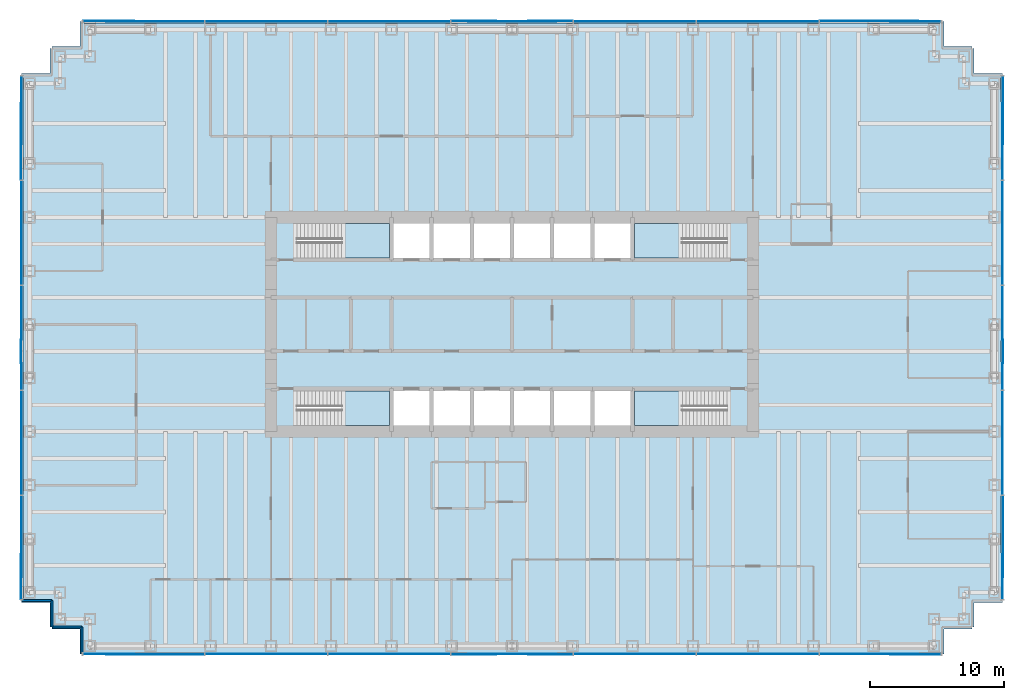
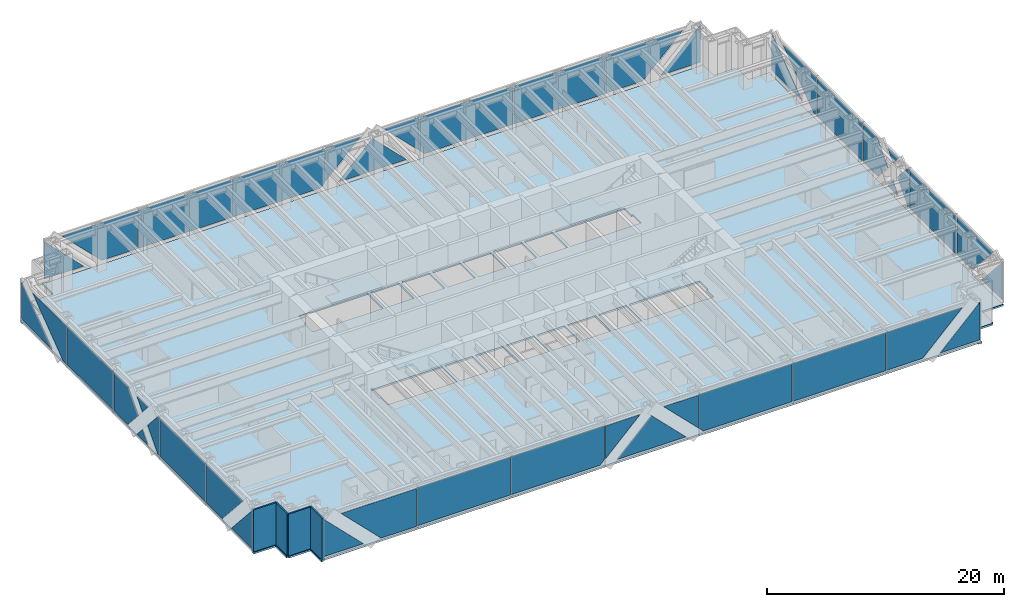
# One storey, part 8 of 13: 42 plates, 5 slabs, 4 walls, 8 elements without a shape of their own.
"""IFC4 building model written with IfcOpenShell, lengths in metres."""

from ifc_helpers import new_model, si_unit, direction, frame, frame_2d, origin, origin_2d, place, context, subcontext, project, spatial, polyline, rectangle, outline, extrude, material, layer, layer_set, type_object, element, aggregate, save


model = new_model("IFC4")

# Units and contexts
model_context = context("Model", 3, precision=1e-05, world=origin(), true_north=direction((0.0, 1.0)))
body_context = subcontext(model_context, "Body", "Model", "MODEL_VIEW")
ifc_project = project(units=[si_unit("LENGTHUNIT", "METRE"), si_unit("AREAUNIT", "SQUARE_METRE"), si_unit("VOLUMEUNIT", "CUBIC_METRE"), si_unit("PLANEANGLEUNIT", "RADIAN"), si_unit("MASSUNIT", "GRAM", prefix="KILO")], contexts=[model_context])

# Site, building, storey
site_placement = place(None, origin())
site = spatial("IfcSite", under=ifc_project, at=site_placement, CompositionType="ELEMENT")
building_placement = place(site_placement, origin())
building = spatial("IfcBuilding", under=site, at=building_placement, Name="Rheinbord Bourse Tower", CompositionType="ELEMENT")
storey_placement = place(building_placement, frame((0.0, 0.0, 59.0)))
storey = spatial("IfcBuildingStorey", under=building, at=storey_placement, Name="L12", CompositionType="ELEMENT", Elevation=59.0)

# Slab
ifc_material_1 = material(Name="Concrete C30/37", Category="concrete")
ifc_layer_1 = layer(ifc_material_1, 0.179931640625)
ifc_layer_set_1 = layer_set([ifc_layer_1], Name="COMPOSITE FLOOR SLAB 180")
slab_type_1 = type_object("IfcSlabType", Name="COMPOSITE FLOOR SLAB 180", PredefinedType="FLOOR", material=ifc_layer_set_1)
slab_1_placement = place(storey_placement, frame((0.0, 0.0, -0.179931640625)))
element("IfcSlab", 1, at=slab_1_placement, inside=storey, type_object=slab_type_1, Name="Floor slab L12", PredefinedType="FLOOR", context=body_context, shape_type="SweptSolid", body=[
    extrude(outline(polyline([(1.64990234375, 1.39990234375), (1.5, 1.39990234375), (1.5, 3.25), (-0.60009765625, 3.25), (-0.60009765625, 3.550048828125), (-0.5, 3.550048828125), (-0.5, 42.449951171875), (-0.60009765625, 42.449951171875), (-0.60009765625, 42.75), (1.5, 42.75), (1.5, 44.60009765625), (1.64990234375, 44.60009765625), (1.64990234375, 44.75), (3.75, 44.75), (3.75, 46.60009765625), (4.050048828125, 46.60009765625), (4.050048828125, 46.5), (67.949951171875, 46.5), (67.949951171875, 46.60009765625), (68.25, 46.60009765625), (68.25, 44.75), (70.35009765625, 44.75), (70.35009765625, 44.60009765625), (70.5, 44.60009765625), (70.5, 42.75), (72.60009765625, 42.75), (72.60009765625, 42.449951171875), (72.5, 42.449951171875), (72.5, 3.550048828125), (72.60009765625, 3.550048828125), (72.60009765625, 3.25), (70.5, 3.25), (70.5, 1.39990234375), (70.35009765625, 1.39990234375), (70.35009765625, 1.25), (68.25, 1.25), (68.25, -0.60009765625), (67.949951171875, -0.60009765625), (67.949951171875, -0.5), (4.050048828125, -0.5), (4.050048828125, -0.60009765625), (3.75, -0.60009765625), (3.75, 1.25), (1.64990234375, 1.25), (1.64990234375, 1.39990234375)]), holes=[polyline([(19.949951171875, 19.050048828125), (26.85009765625, 19.050048828125), (26.85009765625, 16.449951171875), (20.10009765625, 16.449951171875), (20.10009765625, 17.64990234375), (19.949951171875, 17.64990234375), (19.949951171875, 19.050048828125)]), polyline([(26.85009765625, 31.550048828125), (26.85009765625, 28.949951171875), (19.949951171875, 28.949951171875), (19.949951171875, 30.35009765625), (20.10009765625, 30.35009765625), (20.10009765625, 31.550048828125), (26.85009765625, 31.550048828125)]), polyline([(45.14990234375, 16.449951171875), (45.14990234375, 19.050048828125), (52.050048828125, 19.050048828125), (52.050048828125, 17.64990234375), (51.89990234375, 17.64990234375), (51.89990234375, 16.449951171875), (45.14990234375, 16.449951171875)]), polyline([(52.050048828125, 28.949951171875), (45.14990234375, 28.949951171875), (45.14990234375, 31.550048828125), (51.89990234375, 31.550048828125), (51.89990234375, 30.35009765625), (52.050048828125, 30.35009765625), (52.050048828125, 28.949951171875)]), polyline([(27.14990234375, 16.449951171875), (27.14990234375, 19.050048828125), (29.85009765625, 19.050048828125), (29.85009765625, 16.449951171875), (27.14990234375, 16.449951171875)]), polyline([(27.14990234375, 28.949951171875), (27.14990234375, 31.550048828125), (29.85009765625, 31.550048828125), (29.85009765625, 28.949951171875), (27.14990234375, 28.949951171875)]), polyline([(30.14990234375, 16.449951171875), (30.14990234375, 19.050048828125), (32.85009765625, 19.050048828125), (32.85009765625, 16.449951171875), (30.14990234375, 16.449951171875)]), polyline([(30.14990234375, 28.949951171875), (30.14990234375, 31.550048828125), (32.85009765625, 31.550048828125), (32.85009765625, 28.949951171875), (30.14990234375, 28.949951171875)]), polyline([(33.14990234375, 16.449951171875), (33.14990234375, 19.050048828125), (35.85009765625, 19.050048828125), (35.85009765625, 16.449951171875), (33.14990234375, 16.449951171875)]), polyline([(33.14990234375, 28.949951171875), (33.14990234375, 31.550048828125), (35.85009765625, 31.550048828125), (35.85009765625, 28.949951171875), (33.14990234375, 28.949951171875)]), polyline([(36.14990234375, 16.449951171875), (36.14990234375, 19.050048828125), (38.85009765625, 19.050048828125), (38.85009765625, 16.449951171875), (36.14990234375, 16.449951171875)]), polyline([(36.14990234375, 28.949951171875), (36.14990234375, 31.550048828125), (38.85009765625, 31.550048828125), (38.85009765625, 28.949951171875), (36.14990234375, 28.949951171875)]), polyline([(39.14990234375, 16.449951171875), (39.14990234375, 19.050048828125), (41.85009765625, 19.050048828125), (41.85009765625, 16.449951171875), (39.14990234375, 16.449951171875)]), polyline([(39.14990234375, 28.949951171875), (39.14990234375, 31.550048828125), (41.85009765625, 31.550048828125), (41.85009765625, 28.949951171875), (39.14990234375, 28.949951171875)]), polyline([(42.14990234375, 16.449951171875), (42.14990234375, 19.050048828125), (44.85009765625, 19.050048828125), (44.85009765625, 16.449951171875), (42.14990234375, 16.449951171875)]), polyline([(42.14990234375, 28.949951171875), (42.14990234375, 31.550048828125), (44.85009765625, 31.550048828125), (44.85009765625, 28.949951171875), (42.14990234375, 28.949951171875)])]), origin(), (0.0, 0.0, 1.0), 0.179931640625),
])

# Curtain wall, plates
ifc_material_2 = material(Name="Dark glass and black aluminium", Category="aluminium")
curtain_wall_type = type_object("IfcCurtainWallType", Name="CW1 DARK GLASS CURTAIN WALL", PredefinedType="USERDEFINED", material=ifc_material_2)
curtain_wall_1_placement = place(storey_placement, origin())
curtain_wall_1 = element("IfcCurtainWall", 2, at=curtain_wall_1_placement, inside=storey, type_object=curtain_wall_type, Name="Curtain wall CW1 S L12", ObjectType="UNITISED CURTAIN WALL", PredefinedType="USERDEFINED")
ifc_material_3 = material(Name="Dark tinted triple insulating glass", Category="glass")
ifc_layer_2 = layer(ifc_material_3, 0.0439453125)
ifc_layer_set_2 = layer_set([ifc_layer_2], Name="CW1 DARK GLASS PANEL")
plate_type = type_object("IfcPlateType", Name="CW1 DARK GLASS PANEL", PredefinedType="CURTAIN_PANEL", material=ifc_layer_set_2)
plate_1_placement = place(storey_placement, frame((17.6572265625, -0.60009765625, 0.300048828125), z_axis=(0.0, 0.0, 1.0), x_axis=(1.0, 0.0, 0.0)))
plate_1 = element("IfcPlate", 3, at=plate_1_placement, type_object=plate_type, Name="CW1 panel 2.1", PredefinedType="CURTAIN_PANEL", context=body_context, shape_type="SweptSolid", body=[
    extrude(rectangle(XDim=9.09130859375, YDim=0.0439453125, at=origin_2d()), origin(), (0.0, 0.0, 1.0), 3.89990234375),
])
plate_2_placement = place(storey_placement, frame((54.3427734375, -0.60009765625, 0.300048828125), z_axis=(0.0, 0.0, 1.0), x_axis=(1.0, 0.0, 0.0)))
plate_2 = element("IfcPlate", 4, at=plate_2_placement, type_object=plate_type, Name="CW1 panel 6.1", PredefinedType="CURTAIN_PANEL", context=body_context, shape_type="SweptSolid", body=[
    extrude(rectangle(XDim=9.09130859375, YDim=0.0439453125, at=origin_2d()), origin(), (0.0, 0.0, 1.0), 3.89990234375),
])
plate_3_placement = place(storey_placement, frame((3.97998046875, -0.6220703125, 0.300048828125), z_axis=(0.0, 1.0, 0.0), x_axis=(0.0, 0.0, 1.0)))
plate_3 = element("IfcPlate", 5, at=plate_3_placement, type_object=plate_type, Name="CW1 glass facet 1", PredefinedType="CURTAIN_PANEL", context=body_context, shape_type="SweptSolid", body=[
    extrude(outline(polyline([(0.0, 0.0), (3.864013671875, 0.0), (0.0, 3.864013671875), (0.0, 0.0)])), origin(), (0.0, 0.0, 1.0), 0.0439453125),
])
plate_4_placement = place(storey_placement, frame((13.031005859375, -0.6708984375, 4.199951171875), z_axis=(0.0, 1.0, 0.0), x_axis=(0.0, 0.0, -1.0)))
plate_4 = element("IfcPlate", 6, at=plate_4_placement, type_object=plate_type, Name="CW1 glass facet 2", PredefinedType="CURTAIN_PANEL", context=body_context, shape_type="SweptSolid", body=[
    extrude(outline(polyline([(0.0, 0.0), (3.89990234375, 0.0), (3.89990234375, 3.47509765625), (0.0, 7.375), (0.0, 0.0)])), origin(), (0.0, 0.0, 1.0), 0.0439453125),
])
plate_5_placement = place(storey_placement, frame((22.282958984375, -0.6220703125, 0.300048828125), z_axis=(0.0, 1.0, 0.0), x_axis=(0.0, 0.0, 1.0)))
plate_5 = element("IfcPlate", 7, at=plate_5_placement, type_object=plate_type, Name="CW1 glass facet 1", PredefinedType="CURTAIN_PANEL", context=body_context, shape_type="SweptSolid", body=[
    extrude(outline(polyline([(0.0, 0.0), (3.89990234375, 0.0), (3.89990234375, 9.091064453125), (0.429931640625, 9.091064453125), (0.0, 8.6611328125), (0.0, 0.0)])), origin(), (0.0, 0.0, 1.0), 0.0439453125),
])
plate_6_placement = place(storey_placement, frame((31.4541015625, -0.6708984375, 4.199951171875), z_axis=(0.0, 1.0, 0.0), x_axis=(1.0, 0.0, 0.0)))
plate_6 = element("IfcPlate", 8, at=plate_6_placement, type_object=plate_type, Name="CW1 glass facet 1", PredefinedType="CURTAIN_PANEL", context=body_context, shape_type="SweptSolid", body=[
    extrude(outline(polyline([(0.0, 0.0), (3.389892578125, 0.0), (0.0, 3.389892578125), (0.0, 0.0)])), origin(), (0.0, 0.0, 1.0), 0.0439453125),
])
plate_7_placement = place(storey_placement, frame((32.656005859375, -0.6220703125, 0.300048828125), z_axis=(0.0, 1.0, 0.0), x_axis=(0.707106781187, 0.0, 0.707106781187)))
plate_7 = element("IfcPlate", 9, at=plate_7_placement, type_object=plate_type, Name="CW1 glass facet 2", PredefinedType="CURTAIN_PANEL", context=body_context, shape_type="SweptSolid", body=[
    extrude(outline(polyline([(0.0, 0.0), (4.72900390625, 0.0), (4.72900390625, 4.72900390625), (0.0, 0.0)])), origin(), (0.0, 0.0, 1.0), 0.0439453125),
])
plate_8_placement = place(storey_placement, frame((40.5458984375, -0.6708984375, 4.199951171875), z_axis=(0.0, 1.0, 0.0), x_axis=(0.0, 0.0, -1.0)))
plate_8 = element("IfcPlate", 10, at=plate_8_placement, type_object=plate_type, Name="CW1 glass facet 3", PredefinedType="CURTAIN_PANEL", context=body_context, shape_type="SweptSolid", body=[
    extrude(outline(polyline([(0.0, 0.0), (3.389892578125, 0.0), (0.0, 3.389892578125), (0.0, 0.0)])), origin(), (0.0, 0.0, 1.0), 0.0439453125),
])
plate_9_placement = place(storey_placement, frame((40.6259765625, -0.6220703125, 4.199951171875), z_axis=(0.0, 1.0, 0.0), x_axis=(1.0, 0.0, 0.0)))
plate_9 = element("IfcPlate", 11, at=plate_9_placement, type_object=plate_type, Name="CW1 glass facet 1", PredefinedType="CURTAIN_PANEL", context=body_context, shape_type="SweptSolid", body=[
    extrude(outline(polyline([(0.0, 0.0), (9.091064453125, 0.0), (9.091064453125, 3.89990234375), (0.429931640625, 3.89990234375), (0.0, 3.469970703125), (0.0, 0.0)])), origin(), (0.0, 0.0, 1.0), 0.0439453125),
])
plate_10_placement = place(storey_placement, frame((58.968994140625, -0.6220703125, 0.300048828125), z_axis=(0.0, 1.0, 0.0), x_axis=(0.0, 0.0, 1.0)))
plate_10 = element("IfcPlate", 12, at=plate_10_placement, type_object=plate_type, Name="CW1 glass facet 1", PredefinedType="CURTAIN_PANEL", context=body_context, shape_type="SweptSolid", body=[
    extrude(outline(polyline([(0.0, 0.0), (3.89990234375, 0.0), (3.89990234375, 7.375), (0.0, 3.47509765625), (0.0, 0.0)])), origin(), (0.0, 0.0, 1.0), 0.0439453125),
])
plate_11_placement = place(storey_placement, frame((68.02001953125, -0.6708984375, 0.300048828125), z_axis=(0.0, 1.0, 0.0), x_axis=(-1.0, 0.0, 0.0)))
plate_11 = element("IfcPlate", 13, at=plate_11_placement, type_object=plate_type, Name="CW1 glass facet 2", PredefinedType="CURTAIN_PANEL", context=body_context, shape_type="SweptSolid", body=[
    extrude(outline(polyline([(0.0, 0.0), (3.864013671875, 0.0), (0.0, 3.864013671875), (0.0, 0.0)])), origin(), (0.0, 0.0, 1.0), 0.0439453125),
])
aggregate(curtain_wall_1, [plate_1, plate_2, plate_3, plate_4, plate_5, plate_6, plate_7, plate_8, plate_9, plate_10, plate_11])

curtain_wall_2_placement = place(storey_placement, origin())
curtain_wall_2 = element("IfcCurtainWall", 14, at=curtain_wall_2_placement, inside=storey, type_object=curtain_wall_type, Name="Curtain wall CW1 E L12", ObjectType="UNITISED CURTAIN WALL", PredefinedType="USERDEFINED")
plate_12_placement = place(storey_placement, frame((72.60009765625, 15.159912109375, 0.300048828125), z_axis=(0.0, 0.0, 1.0), x_axis=(0.0, 1.0, 0.0)))
plate_12 = element("IfcPlate", 15, at=plate_12_placement, type_object=plate_type, Name="CW1 panel 2.1", PredefinedType="CURTAIN_PANEL", context=body_context, shape_type="SweptSolid", body=[
    extrude(rectangle(XDim=7.760009765625, YDim=0.0439453125, at=origin_2d()), origin(), (0.0, 0.0, 1.0), 3.89990234375),
])
plate_13_placement = place(storey_placement, frame((72.60009765625, 30.840087890625, 0.300048828125), z_axis=(0.0, 0.0, 1.0), x_axis=(0.0, 1.0, 0.0)))
plate_13 = element("IfcPlate", 16, at=plate_13_placement, type_object=plate_type, Name="CW1 panel 4.1", PredefinedType="CURTAIN_PANEL", context=body_context, shape_type="SweptSolid", body=[
    extrude(rectangle(XDim=7.760009765625, YDim=0.0439453125, at=origin_2d()), origin(), (0.0, 0.0, 1.0), 3.89990234375),
])
plate_14_placement = place(storey_placement, frame((72.6220703125, 3.47998046875, 0.300048828125), z_axis=(-1.0, 0.0, 0.0), x_axis=(0.0, 0.0, 1.0)))
plate_14 = element("IfcPlate", 17, at=plate_14_placement, type_object=plate_type, Name="CW1 glass facet 1", PredefinedType="CURTAIN_PANEL", context=body_context, shape_type="SweptSolid", body=[
    extrude(outline(polyline([(0.0, 0.0), (3.8740234375, 0.0), (0.0, 3.444091796875), (0.0, 0.0)])), origin(), (0.0, 0.0, 1.0), 0.0439453125),
])
plate_15_placement = place(storey_placement, frame((72.6708984375, 11.199951171875, 4.199951171875), z_axis=(-1.0, 0.0, 0.0), x_axis=(0.0, 0.0, -1.0)))
plate_15 = element("IfcPlate", 18, at=plate_15_placement, type_object=plate_type, Name="CW1 glass facet 2", PredefinedType="CURTAIN_PANEL", context=body_context, shape_type="SweptSolid", body=[
    extrude(outline(polyline([(0.0, 0.0), (3.89990234375, 0.0), (3.89990234375, 2.656982421875), (0.0, 6.1240234375), (0.0, 0.0)])), origin(), (0.0, 0.0, 1.0), 0.0439453125),
])
plate_16_placement = place(storey_placement, frame((72.6220703125, 19.1201171875, 0.300048828125), z_axis=(-1.0, 0.0, 0.0), x_axis=(0.0, 0.0, 1.0)))
plate_16 = element("IfcPlate", 19, at=plate_16_placement, type_object=plate_type, Name="CW1 glass facet 1", PredefinedType="CURTAIN_PANEL", context=body_context, shape_type="SweptSolid", body=[
    extrude(outline(polyline([(0.0, 0.0), (3.89990234375, 0.0), (3.89990234375, 0.3369140625), (1.949951171875, 2.07080078125), (0.0, 0.3369140625), (0.0, 0.0)])), origin(), (0.0, 0.0, 1.0), 0.0439453125),
])
plate_17_placement = place(storey_placement, frame((72.6708984375, 21.075927734375, 0.300048828125), z_axis=(-1.0, 0.0, 0.0), x_axis=(0.0, 0.664549079677, 0.747244619051)))
plate_17 = element("IfcPlate", 20, at=plate_17_placement, type_object=plate_type, Name="CW1 glass facet 2", PredefinedType="CURTAIN_PANEL", context=body_context, shape_type="SweptSolid", body=[
    extrude(outline(polyline([(0.0, 0.0), (1.390625, 0.0), (1.228271484375, 1.381103515625), (0.0, 0.0)])), origin(), (0.0, 0.0, 1.0), 0.0439453125),
])
plate_18_placement = place(storey_placement, frame((72.6708984375, 22.924072265625, 4.199951171875), z_axis=(-1.0, 0.0, 0.0), x_axis=(0.0, -0.664549079677, -0.747244619051)))
plate_18 = element("IfcPlate", 21, at=plate_18_placement, type_object=plate_type, Name="CW1 glass facet 3", PredefinedType="CURTAIN_PANEL", context=body_context, shape_type="SweptSolid", body=[
    extrude(outline(polyline([(0.0, 0.0), (1.390625, 0.0), (1.228271484375, 1.381103515625), (0.0, 0.0)])), origin(), (0.0, 0.0, 1.0), 0.0439453125),
])
plate_19_placement = place(storey_placement, frame((72.6220703125, 26.8798828125, 4.199951171875), z_axis=(-1.0, 0.0, 0.0), x_axis=(0.0, 0.0, -1.0)))
plate_19 = element("IfcPlate", 22, at=plate_19_placement, type_object=plate_type, Name="CW1 glass facet 4", PredefinedType="CURTAIN_PANEL", context=body_context, shape_type="SweptSolid", body=[
    extrude(outline(polyline([(0.0, 0.0), (3.89990234375, 0.0), (3.89990234375, 2.3369140625), (1.949951171875, 4.07080078125), (0.0, 2.3369140625), (0.0, 0.0)])), origin(), (0.0, 0.0, 1.0), 0.0439453125),
])
plate_20_placement = place(storey_placement, frame((72.6220703125, 34.800048828125, 0.300048828125), z_axis=(-1.0, 0.0, 0.0), x_axis=(0.0, 0.0, 1.0)))
plate_20 = element("IfcPlate", 23, at=plate_20_placement, type_object=plate_type, Name="CW1 glass facet 1", PredefinedType="CURTAIN_PANEL", context=body_context, shape_type="SweptSolid", body=[
    extrude(outline(polyline([(0.0, 0.0), (3.89990234375, 0.0), (3.89990234375, 5.7919921875), (0.0, 0.592041015625), (0.0, 0.0)])), origin(), (0.0, 0.0, 1.0), 0.0439453125),
])
plate_21_placement = place(storey_placement, frame((72.6708984375, 42.52001953125, 0.300048828125), z_axis=(-1.0, 0.0, 0.0), x_axis=(0.0, -1.0, 0.0)))
plate_21 = element("IfcPlate", 24, at=plate_21_placement, type_object=plate_type, Name="CW1 glass facet 2", PredefinedType="CURTAIN_PANEL", context=body_context, shape_type="SweptSolid", body=[
    extrude(outline(polyline([(0.0, 0.0), (5.112060546875, 0.0), (0.0, 3.833984375), (0.0, 0.0)])), origin(), (0.0, 0.0, 1.0), 0.0439453125),
])
aggregate(curtain_wall_2, [plate_12, plate_13, plate_14, plate_15, plate_16, plate_17, plate_18, plate_19, plate_20, plate_21])

curtain_wall_3_placement = place(storey_placement, origin())
curtain_wall_3 = element("IfcCurtainWall", 25, at=curtain_wall_3_placement, inside=storey, type_object=curtain_wall_type, Name="Curtain wall CW1 N L12", ObjectType="UNITISED CURTAIN WALL", PredefinedType="USERDEFINED")
plate_22_placement = place(storey_placement, frame((54.3427734375, 46.60009765625, 0.300048828125), z_axis=(0.0, 0.0, 1.0), x_axis=(-1.0, 0.0, 0.0)))
plate_22 = element("IfcPlate", 26, at=plate_22_placement, type_object=plate_type, Name="CW1 panel 2.1", PredefinedType="CURTAIN_PANEL", context=body_context, shape_type="SweptSolid", body=[
    extrude(rectangle(XDim=9.09130859375, YDim=0.0439453125, at=origin_2d()), origin(), (0.0, 0.0, 1.0), 3.89990234375),
])
plate_23_placement = place(storey_placement, frame((17.6572265625, 46.60009765625, 0.300048828125), z_axis=(0.0, 0.0, 1.0), x_axis=(-1.0, 0.0, 0.0)))
plate_23 = element("IfcPlate", 27, at=plate_23_placement, type_object=plate_type, Name="CW1 panel 6.1", PredefinedType="CURTAIN_PANEL", context=body_context, shape_type="SweptSolid", body=[
    extrude(rectangle(XDim=9.09130859375, YDim=0.0439453125, at=origin_2d()), origin(), (0.0, 0.0, 1.0), 3.89990234375),
])
plate_24_placement = place(storey_placement, frame((68.02001953125, 46.6220703125, 0.300048828125), z_axis=(0.0, -1.0, 0.0), x_axis=(0.0, 0.0, 1.0)))
plate_24 = element("IfcPlate", 28, at=plate_24_placement, type_object=plate_type, Name="CW1 glass facet 1", PredefinedType="CURTAIN_PANEL", context=body_context, shape_type="SweptSolid", body=[
    extrude(outline(polyline([(0.0, 0.0), (3.864013671875, 0.0), (0.0, 3.864013671875), (0.0, 0.0)])), origin(), (0.0, 0.0, 1.0), 0.0439453125),
])
plate_25_placement = place(storey_placement, frame((58.968994140625, 46.6708984375, 4.199951171875), z_axis=(0.0, -1.0, 0.0), x_axis=(0.0, 0.0, -1.0)))
plate_25 = element("IfcPlate", 29, at=plate_25_placement, type_object=plate_type, Name="CW1 glass facet 2", PredefinedType="CURTAIN_PANEL", context=body_context, shape_type="SweptSolid", body=[
    extrude(outline(polyline([(0.0, 0.0), (3.89990234375, 0.0), (3.89990234375, 3.47509765625), (0.0, 7.375), (0.0, 0.0)])), origin(), (0.0, 0.0, 1.0), 0.0439453125),
])
plate_26_placement = place(storey_placement, frame((49.717041015625, 46.6220703125, 0.300048828125), z_axis=(0.0, -1.0, 0.0), x_axis=(0.0, 0.0, 1.0)))
plate_26 = element("IfcPlate", 30, at=plate_26_placement, type_object=plate_type, Name="CW1 glass facet 1", PredefinedType="CURTAIN_PANEL", context=body_context, shape_type="SweptSolid", body=[
    extrude(outline(polyline([(0.0, 0.0), (3.89990234375, 0.0), (3.89990234375, 9.091064453125), (0.429931640625, 9.091064453125), (0.0, 8.6611328125), (0.0, 0.0)])), origin(), (0.0, 0.0, 1.0), 0.0439453125),
])
plate_27_placement = place(storey_placement, frame((40.5458984375, 46.6708984375, 4.199951171875), z_axis=(0.0, -1.0, 0.0), x_axis=(-1.0, 0.0, 0.0)))
plate_27 = element("IfcPlate", 31, at=plate_27_placement, type_object=plate_type, Name="CW1 glass facet 1", PredefinedType="CURTAIN_PANEL", context=body_context, shape_type="SweptSolid", body=[
    extrude(outline(polyline([(0.0, 0.0), (3.389892578125, 0.0), (0.0, 3.389892578125), (0.0, 0.0)])), origin(), (0.0, 0.0, 1.0), 0.0439453125),
])
plate_28_placement = place(storey_placement, frame((39.343994140625, 46.6220703125, 0.300048828125), z_axis=(0.0, -1.0, 0.0), x_axis=(-0.707106781187, 0.0, 0.707106781187)))
plate_28 = element("IfcPlate", 32, at=plate_28_placement, type_object=plate_type, Name="CW1 glass facet 2", PredefinedType="CURTAIN_PANEL", context=body_context, shape_type="SweptSolid", body=[
    extrude(outline(polyline([(0.0, 0.0), (4.72900390625, 0.0), (4.72900390625, 4.72900390625), (0.0, 0.0)])), origin(), (0.0, 0.0, 1.0), 0.0439453125),
])
plate_29_placement = place(storey_placement, frame((31.4541015625, 46.6708984375, 4.199951171875), z_axis=(0.0, -1.0, 0.0), x_axis=(0.0, 0.0, -1.0)))
plate_29 = element("IfcPlate", 33, at=plate_29_placement, type_object=plate_type, Name="CW1 glass facet 3", PredefinedType="CURTAIN_PANEL", context=body_context, shape_type="SweptSolid", body=[
    extrude(outline(polyline([(0.0, 0.0), (3.389892578125, 0.0), (0.0, 3.389892578125), (0.0, 0.0)])), origin(), (0.0, 0.0, 1.0), 0.0439453125),
])
plate_30_placement = place(storey_placement, frame((31.3740234375, 46.6220703125, 4.199951171875), z_axis=(0.0, -1.0, 0.0), x_axis=(-1.0, 0.0, 0.0)))
plate_30 = element("IfcPlate", 34, at=plate_30_placement, type_object=plate_type, Name="CW1 glass facet 1", PredefinedType="CURTAIN_PANEL", context=body_context, shape_type="SweptSolid", body=[
    extrude(outline(polyline([(0.0, 0.0), (9.091064453125, 0.0), (9.091064453125, 3.89990234375), (0.429931640625, 3.89990234375), (0.0, 3.469970703125), (0.0, 0.0)])), origin(), (0.0, 0.0, 1.0), 0.0439453125),
])
plate_31_placement = place(storey_placement, frame((13.031005859375, 46.6220703125, 0.300048828125), z_axis=(0.0, -1.0, 0.0), x_axis=(0.0, 0.0, 1.0)))
plate_31 = element("IfcPlate", 35, at=plate_31_placement, type_object=plate_type, Name="CW1 glass facet 1", PredefinedType="CURTAIN_PANEL", context=body_context, shape_type="SweptSolid", body=[
    extrude(outline(polyline([(0.0, 0.0), (3.89990234375, 0.0), (3.89990234375, 7.375), (0.0, 3.47509765625), (0.0, 0.0)])), origin(), (0.0, 0.0, 1.0), 0.0439453125),
])
plate_32_placement = place(storey_placement, frame((3.97998046875, 46.6708984375, 0.300048828125), z_axis=(0.0, -1.0, 0.0), x_axis=(1.0, 0.0, 0.0)))
plate_32 = element("IfcPlate", 36, at=plate_32_placement, type_object=plate_type, Name="CW1 glass facet 2", PredefinedType="CURTAIN_PANEL", context=body_context, shape_type="SweptSolid", body=[
    extrude(outline(polyline([(0.0, 0.0), (3.864013671875, 0.0), (0.0, 3.864013671875), (0.0, 0.0)])), origin(), (0.0, 0.0, 1.0), 0.0439453125),
])
aggregate(curtain_wall_3, [plate_22, plate_23, plate_24, plate_25, plate_26, plate_27, plate_28, plate_29, plate_30, plate_31, plate_32])

curtain_wall_4_placement = place(storey_placement, origin())
curtain_wall_4 = element("IfcCurtainWall", 37, at=curtain_wall_4_placement, inside=storey, type_object=curtain_wall_type, Name="Curtain wall CW1 W L12", ObjectType="UNITISED CURTAIN WALL", PredefinedType="USERDEFINED")
plate_33_placement = place(storey_placement, frame((-0.60009765625, 30.840087890625, 0.300048828125), z_axis=(0.0, 0.0, 1.0), x_axis=(0.0, -1.0, 0.0)))
plate_33 = element("IfcPlate", 38, at=plate_33_placement, type_object=plate_type, Name="CW1 panel 2.1", PredefinedType="CURTAIN_PANEL", context=body_context, shape_type="SweptSolid", body=[
    extrude(rectangle(XDim=7.760009765625, YDim=0.0439453125, at=origin_2d()), origin(), (0.0, 0.0, 1.0), 3.89990234375),
])
plate_34_placement = place(storey_placement, frame((-0.60009765625, 15.159912109375, 0.300048828125), z_axis=(0.0, 0.0, 1.0), x_axis=(0.0, -1.0, 0.0)))
plate_34 = element("IfcPlate", 39, at=plate_34_placement, type_object=plate_type, Name="CW1 panel 4.1", PredefinedType="CURTAIN_PANEL", context=body_context, shape_type="SweptSolid", body=[
    extrude(rectangle(XDim=7.760009765625, YDim=0.0439453125, at=origin_2d()), origin(), (0.0, 0.0, 1.0), 3.89990234375),
])
plate_35_placement = place(storey_placement, frame((-0.6220703125, 42.52001953125, 0.300048828125), z_axis=(1.0, 0.0, 0.0), x_axis=(0.0, 0.0, 1.0)))
plate_35 = element("IfcPlate", 40, at=plate_35_placement, type_object=plate_type, Name="CW1 glass facet 1", PredefinedType="CURTAIN_PANEL", context=body_context, shape_type="SweptSolid", body=[
    extrude(outline(polyline([(0.0, 0.0), (3.833984375, 0.0), (0.0, 5.112060546875), (0.0, 0.0)])), origin(), (0.0, 0.0, 1.0), 0.0439453125),
])
plate_36_placement = place(storey_placement, frame((-0.6708984375, 34.800048828125, 4.199951171875), z_axis=(1.0, 0.0, 0.0), x_axis=(0.0, 0.0, -1.0)))
plate_36 = element("IfcPlate", 41, at=plate_36_placement, type_object=plate_type, Name="CW1 glass facet 2", PredefinedType="CURTAIN_PANEL", context=body_context, shape_type="SweptSolid", body=[
    extrude(outline(polyline([(0.0, 0.0), (3.89990234375, 0.0), (3.89990234375, 0.592041015625), (0.0, 5.7919921875), (0.0, 0.0)])), origin(), (0.0, 0.0, 1.0), 0.0439453125),
])
plate_37_placement = place(storey_placement, frame((-0.6220703125, 26.8798828125, 0.300048828125), z_axis=(1.0, 0.0, 0.0), x_axis=(0.0, 0.0, 1.0)))
plate_37 = element("IfcPlate", 42, at=plate_37_placement, type_object=plate_type, Name="CW1 glass facet 1", PredefinedType="CURTAIN_PANEL", context=body_context, shape_type="SweptSolid", body=[
    extrude(outline(polyline([(0.0, 0.0), (3.89990234375, 0.0), (3.89990234375, 2.3369140625), (1.949951171875, 4.07080078125), (0.0, 2.3369140625), (0.0, 0.0)])), origin(), (0.0, 0.0, 1.0), 0.0439453125),
])
plate_38_placement = place(storey_placement, frame((-0.6708984375, 22.924072265625, 0.300048828125), z_axis=(1.0, 0.0, 0.0), x_axis=(0.0, -0.664549079677, 0.747244619051)))
plate_38 = element("IfcPlate", 43, at=plate_38_placement, type_object=plate_type, Name="CW1 glass facet 2", PredefinedType="CURTAIN_PANEL", context=body_context, shape_type="SweptSolid", body=[
    extrude(outline(polyline([(0.0, 0.0), (1.390625, 0.0), (1.228271484375, 1.381103515625), (0.0, 0.0)])), origin(), (0.0, 0.0, 1.0), 0.0439453125),
])
plate_39_placement = place(storey_placement, frame((-0.6708984375, 21.075927734375, 4.199951171875), z_axis=(1.0, 0.0, 0.0), x_axis=(0.0, 0.664549079677, -0.747244619051)))
plate_39 = element("IfcPlate", 44, at=plate_39_placement, type_object=plate_type, Name="CW1 glass facet 3", PredefinedType="CURTAIN_PANEL", context=body_context, shape_type="SweptSolid", body=[
    extrude(outline(polyline([(0.0, 0.0), (1.390625, 0.0), (1.228271484375, 1.381103515625), (0.0, 0.0)])), origin(), (0.0, 0.0, 1.0), 0.0439453125),
])
plate_40_placement = place(storey_placement, frame((-0.6220703125, 19.1201171875, 4.199951171875), z_axis=(1.0, 0.0, 0.0), x_axis=(0.0, 0.0, -1.0)))
plate_40 = element("IfcPlate", 45, at=plate_40_placement, type_object=plate_type, Name="CW1 glass facet 4", PredefinedType="CURTAIN_PANEL", context=body_context, shape_type="SweptSolid", body=[
    extrude(outline(polyline([(0.0, 0.0), (3.89990234375, 0.0), (3.89990234375, 0.3369140625), (1.949951171875, 2.07080078125), (0.0, 0.3369140625), (0.0, 0.0)])), origin(), (0.0, 0.0, 1.0), 0.0439453125),
])
plate_41_placement = place(storey_placement, frame((-0.6220703125, 11.199951171875, 0.300048828125), z_axis=(1.0, 0.0, 0.0), x_axis=(0.0, 0.0, 1.0)))
plate_41 = element("IfcPlate", 46, at=plate_41_placement, type_object=plate_type, Name="CW1 glass facet 1", PredefinedType="CURTAIN_PANEL", context=body_context, shape_type="SweptSolid", body=[
    extrude(outline(polyline([(0.0, 0.0), (3.89990234375, 0.0), (3.89990234375, 6.1240234375), (0.0, 2.656982421875), (0.0, 0.0)])), origin(), (0.0, 0.0, 1.0), 0.0439453125),
])
plate_42_placement = place(storey_placement, frame((-0.6708984375, 3.47998046875, 0.300048828125), z_axis=(1.0, 0.0, 0.0), x_axis=(0.0, 1.0, 0.0)))
plate_42 = element("IfcPlate", 47, at=plate_42_placement, type_object=plate_type, Name="CW1 glass facet 2", PredefinedType="CURTAIN_PANEL", context=body_context, shape_type="SweptSolid", body=[
    extrude(outline(polyline([(0.0, 0.0), (3.444091796875, 0.0), (0.0, 3.8740234375), (0.0, 0.0)])), origin(), (0.0, 0.0, 1.0), 0.0439453125),
])
aggregate(curtain_wall_4, [plate_33, plate_34, plate_35, plate_36, plate_37, plate_38, plate_39, plate_40, plate_41, plate_42])

# Stair, slab
ifc_material_4 = material(Name="Concrete C30/37", Category="concrete")
stair_type = type_object("IfcStairType", Name="CORE STAIR HALF TURN 4500", PredefinedType="HALF_TURN_STAIR", material=ifc_material_4)
stair_1_placement = place(storey_placement, origin())
stair_1 = element("IfcStair", 48, at=stair_1_placement, inside=storey, type_object=stair_type, Name="Stair ST1 L12, type CS4", PredefinedType="HALF_TURN_STAIR")
ifc_material_5 = material(Name="Concrete C30/37", Category="concrete")
ifc_layer_3 = layer(ifc_material_5, 0.199951171875)
ifc_layer_set_3 = layer_set([ifc_layer_3], Name="STAIR LANDING 200")
slab_type_2 = type_object("IfcSlabType", Name="STAIR LANDING 200", PredefinedType="LANDING", material=ifc_layer_set_3)
slab_2_placement = place(storey_placement, frame((0.0, 0.0, 2.050048828125)))
slab_2 = element("IfcSlab", 49, at=slab_2_placement, type_object=slab_type_2, Name="Half landing ST1 L12", PredefinedType="LANDING", context=body_context, shape_type="SweptSolid", body=[
    extrude(outline(polyline([(23.31005859375, 16.449951171875), (26.85009765625, 16.449951171875), (26.85009765625, 19.050048828125), (21.916015625, 19.050048828125), (21.916015625, 17.85009765625), (23.31005859375, 17.85009765625), (23.31005859375, 16.449951171875)])), origin(), (0.0, 0.0, 1.0), 0.199951171875),
])
aggregate(stair_1, [slab_2])

stair_2_placement = place(storey_placement, origin())
stair_2 = element("IfcStair", 50, at=stair_2_placement, inside=storey, type_object=stair_type, Name="Stair ST2 L12, type CS4", PredefinedType="HALF_TURN_STAIR")
slab_3_placement = place(storey_placement, frame((0.0, 0.0, 2.050048828125)))
slab_3 = element("IfcSlab", 51, at=slab_3_placement, type_object=slab_type_2, Name="Half landing ST2 L12", PredefinedType="LANDING", context=body_context, shape_type="SweptSolid", body=[
    extrude(outline(polyline([(21.916015625, 28.949951171875), (26.85009765625, 28.949951171875), (26.85009765625, 31.550048828125), (23.31005859375, 31.550048828125), (23.31005859375, 30.14990234375), (21.916015625, 30.14990234375), (21.916015625, 28.949951171875)])), origin(), (0.0, 0.0, 1.0), 0.199951171875),
])
aggregate(stair_2, [slab_3])

stair_3_placement = place(storey_placement, origin())
stair_3 = element("IfcStair", 52, at=stair_3_placement, inside=storey, type_object=stair_type, Name="Stair ST3 L12, type CS4", PredefinedType="HALF_TURN_STAIR")
slab_4_placement = place(storey_placement, frame((0.0, 0.0, 2.050048828125)))
slab_4 = element("IfcSlab", 53, at=slab_4_placement, type_object=slab_type_2, Name="Half landing ST3 L12", PredefinedType="LANDING", context=body_context, shape_type="SweptSolid", body=[
    extrude(outline(polyline([(45.14990234375, 16.449951171875), (48.68994140625, 16.449951171875), (48.68994140625, 17.85009765625), (50.083984375, 17.85009765625), (50.083984375, 19.050048828125), (45.14990234375, 19.050048828125), (45.14990234375, 16.449951171875)])), origin(), (0.0, 0.0, 1.0), 0.199951171875),
])
aggregate(stair_3, [slab_4])

stair_4_placement = place(storey_placement, origin())
stair_4 = element("IfcStair", 54, at=stair_4_placement, inside=storey, type_object=stair_type, Name="Stair ST4 L12, type CS4", PredefinedType="HALF_TURN_STAIR")
slab_5_placement = place(storey_placement, frame((0.0, 0.0, 2.050048828125)))
slab_5 = element("IfcSlab", 55, at=slab_5_placement, type_object=slab_type_2, Name="Half landing ST4 L12", PredefinedType="LANDING", context=body_context, shape_type="SweptSolid", body=[
    extrude(outline(polyline([(45.14990234375, 28.949951171875), (50.083984375, 28.949951171875), (50.083984375, 30.14990234375), (48.68994140625, 30.14990234375), (48.68994140625, 31.550048828125), (45.14990234375, 31.550048828125), (45.14990234375, 28.949951171875)])), origin(), (0.0, 0.0, 1.0), 0.199951171875),
])
aggregate(stair_4, [slab_5])

# Walls
ifc_material_6 = material(Name="Black metal rainscreen panel", Category="aluminium")
ifc_layer_4 = layer(ifc_material_6, 0.14990234375)
ifc_layer_set_4 = layer_set([ifc_layer_4], Name="CORNER PIER CLADDING 150")
wall_type = type_object("IfcWallType", Name="CORNER PIER CLADDING 150", PredefinedType="ELEMENTEDWALL", material=ifc_layer_set_4)
wall_1_placement = place(storey_placement, frame((-0.60009765625, 3.39990234375, 0.0), z_axis=(0.0, 0.0, 1.0), x_axis=(1.0, 0.0, 0.0)))
element("IfcWall", 56, at=wall_1_placement, inside=storey, type_object=wall_type, Name="Corner pier cladding L12 17", PredefinedType="ELEMENTEDWALL", context=body_context, shape_type="SweptSolid", body=[
    extrude(rectangle(XDim=2.25, YDim=0.14990234375, at=frame_2d((1.125, 0.0))), origin(), (0.0, 0.0, 1.0), 4.320068359375),
])
wall_2_placement = place(storey_placement, frame((1.64990234375, 3.39990234375, 0.0), z_axis=(0.0, 0.0, 1.0), x_axis=(0.0, -1.0, 0.0)))
element("IfcWall", 57, at=wall_2_placement, inside=storey, type_object=wall_type, Name="Corner pier cladding L12 18", PredefinedType="ELEMENTEDWALL", context=body_context, shape_type="SweptSolid", body=[
    extrude(rectangle(XDim=2.0, YDim=0.14990234375, at=frame_2d((1.0, 0.0))), origin(), (0.0, 0.0, 1.0), 4.320068359375),
])
wall_3_placement = place(storey_placement, frame((1.64990234375, 1.39990234375, 0.0), z_axis=(0.0, 0.0, 1.0), x_axis=(1.0, 0.0, 0.0)))
element("IfcWall", 58, at=wall_3_placement, inside=storey, type_object=wall_type, Name="Corner pier cladding L12 19", PredefinedType="ELEMENTEDWALL", context=body_context, shape_type="SweptSolid", body=[
    extrude(rectangle(XDim=2.25, YDim=0.14990234375, at=frame_2d((1.125, 0.0))), origin(), (0.0, 0.0, 1.0), 4.320068359375),
])
wall_4_placement = place(storey_placement, frame((3.89990234375, 1.39990234375, 0.0), z_axis=(0.0, 0.0, 1.0), x_axis=(0.0, -1.0, 0.0)))
element("IfcWall", 59, at=wall_4_placement, inside=storey, type_object=wall_type, Name="Corner pier cladding L12 20", PredefinedType="ELEMENTEDWALL", context=body_context, shape_type="SweptSolid", body=[
    extrude(rectangle(XDim=2.0, YDim=0.14990234375, at=frame_2d((1.0, 0.0))), origin(), (0.0, 0.0, 1.0), 4.320068359375),
])

save(model, "model.ifc")
